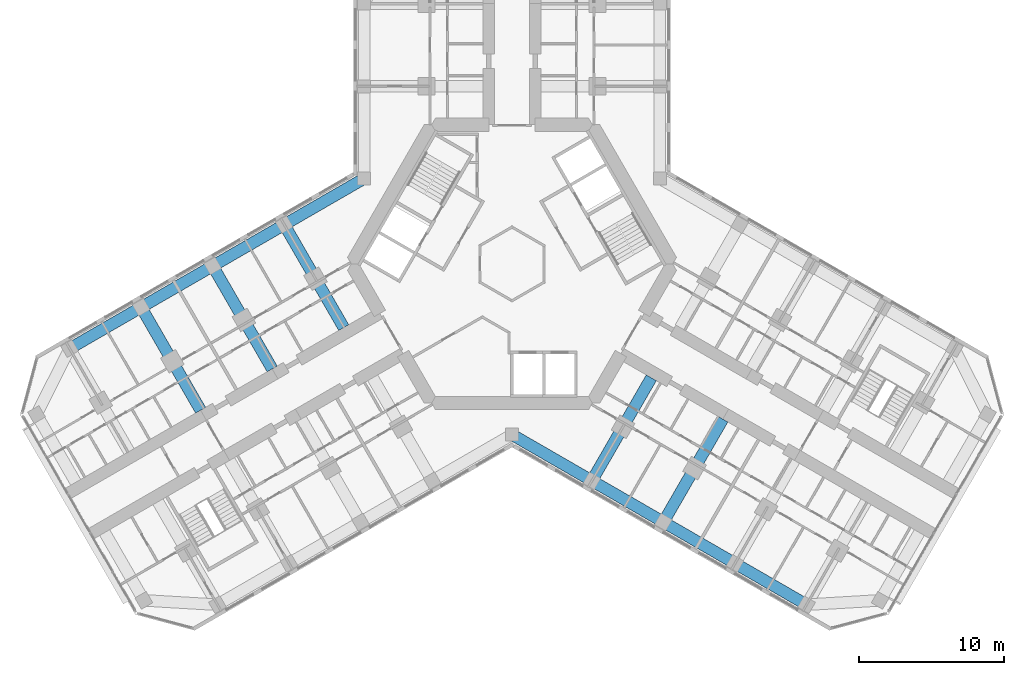
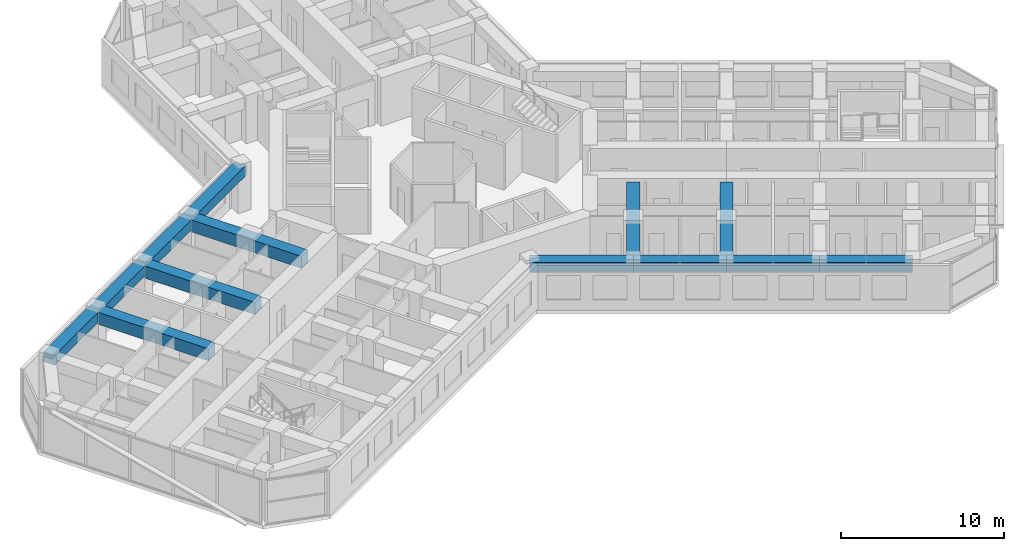
# One storey, part 4 of 20: 13 beams.
"""IFC4 building model written with IfcOpenShell, lengths in metres."""

import ifcopenshell
import ifcopenshell.guid

model = None  # the IFC model being written
_history = None  # IfcOwnerHistory: only IFC2X3 demands one
_inside = {}  # id of a spatial element -> (the spatial element, [elements in it])
_under = {}  # id of a project, library or spatial element -> (it, [spatial elements below it])
_declared = {}  # id of a project -> (the project, [libraries it declares])
_typed = {}  # id of a type object -> (the type object, [elements of that type])
_made_of = {}  # id of a material, layer set ... -> (it, [elements and type objects made of it])


def new_model(schema):
    """Start an empty IFC model of exactly this schema.

    Asked for "IFC4X3", IfcOpenShell would pick the latest addendum, in which some entities
    have other attributes; the version numbers below select the first issue.
    IFC2X3 requires an IfcOwnerHistory on every rooted entity: one is made here for all.
    """
    global model, _history
    if schema == "IFC4X3":
        model = ifcopenshell.file(schema_version=(4, 3, 0, 0))
    else:
        model = ifcopenshell.file(schema=schema)
    _inside.clear()
    _under.clear()
    _declared.clear()
    _typed.clear()
    _made_of.clear()
    _history = None
    if model.schema == "IFC2X3":
        org = make("IfcOrganization", Name="unknown")
        user = make(
            "IfcPersonAndOrganization",
            ThePerson=make("IfcPerson", FamilyName="unknown"),
            TheOrganization=org,
        )
        app = make(
            "IfcApplication",
            ApplicationDeveloper=org,
            Version="unknown",
            ApplicationFullName="unknown",
            ApplicationIdentifier="unknown",
        )
        _history = make(
            "IfcOwnerHistory",
            OwningUser=user,
            OwningApplication=app,
            ChangeAction="ADDED",
            CreationDate=0,
        )
    return model


def make(cls, **values):
    """One entity of the class cls with the attributes given. An attribute that is None is left unset."""
    return model.create_entity(
        cls, **{name: value for name, value in values.items() if value is not None}
    )


def rooted(cls, **values):
    """An entity with a GlobalId (a new one), such as an element, a storey or a relation."""
    return make(cls, GlobalId=ifcopenshell.guid.new(), OwnerHistory=_history, **values)


def si_unit(unit_type, name, prefix=None):
    """IfcSIUnit, for example si_unit("LENGTHUNIT", "METRE", prefix="MILLI")."""
    return make("IfcSIUnit", UnitType=unit_type, Prefix=prefix, Name=name)


def assignment(units):
    """IfcUnitAssignment: the units of a project."""
    return None if units is None else make("IfcUnitAssignment", Units=units)


def point(xyz):
    """IfcCartesianPoint."""
    return None if xyz is None else make("IfcCartesianPoint", Coordinates=xyz)


def direction(xyz):
    """IfcDirection."""
    return None if xyz is None else make("IfcDirection", DirectionRatios=xyz)


def frame(location, z_axis=None, x_axis=None):
    """IfcAxis2Placement3D, a coordinate frame: its origin and axes. An axis left out is left unset."""
    return make(
        "IfcAxis2Placement3D",
        Location=point(location),
        Axis=direction(z_axis),
        RefDirection=direction(x_axis),
    )


def frame_2d(location, x_axis=None):
    """IfcAxis2Placement2D, a coordinate frame in the plane: its origin and x axis."""
    return make(
        "IfcAxis2Placement2D", Location=point(location), RefDirection=direction(x_axis)
    )


def origin():
    """The frame at (0, 0, 0) with its axes left unset."""
    return frame((0.0, 0.0, 0.0))


def origin_2d():
    """The frame at (0, 0) in the plane with its x axis left unset."""
    return frame_2d((0.0, 0.0))


def place(relative_to, where):
    """IfcLocalPlacement: puts the frame where relative to a parent placement (None: the world)."""
    return make(
        "IfcLocalPlacement", PlacementRelTo=relative_to, RelativePlacement=where
    )


def context(
    kind, dimensions, precision=None, world=None, true_north=None, identifier=None
):
    """IfcGeometricRepresentationContext, for example the 3D "Model" context."""
    return make(
        "IfcGeometricRepresentationContext",
        ContextIdentifier=identifier,
        ContextType=kind,
        CoordinateSpaceDimension=dimensions,
        Precision=precision,
        WorldCoordinateSystem=world,
        TrueNorth=true_north,
    )


def subcontext(parent, identifier, kind, view, scale=None):
    """IfcGeometricRepresentationSubContext, for example "Body" below "Model"."""
    return make(
        "IfcGeometricRepresentationSubContext",
        ContextIdentifier=identifier,
        ContextType=kind,
        ParentContext=parent,
        TargetScale=scale,
        TargetView=view,
    )


def project(units=None, contexts=None):
    """IfcProject with its units and contexts."""
    return rooted(
        "IfcProject",
        Name="project",
        RepresentationContexts=contexts,
        UnitsInContext=assignment(units),
    )


def spatial(cls, under=None, at=None, **own):
    """A site, building, storey or space (cls), placed at a placement, below another one or the project."""
    s = rooted(cls, ObjectPlacement=at, **own)
    if under is not None:
        _under.setdefault(under.id(), (under, []))[1].append(s)
    return s


def profile(cls, at=None, kind="AREA", **sizes):
    """A parametric profile (cls). Its sizes go by their IFC names, for example OverallWidth=200.0."""
    return make(cls, ProfileType=kind, Position=at, **sizes)


def rectangle(**sizes):
    """IfcRectangleProfileDef."""
    return profile("IfcRectangleProfileDef", **sizes)


def extrude(swept, where, along, depth):
    """IfcExtrudedAreaSolid: the profile swept, set in the frame where, extruded along a direction by depth."""
    return make(
        "IfcExtrudedAreaSolid",
        SweptArea=swept,
        Position=where,
        ExtrudedDirection=direction(along),
        Depth=depth,
    )


def shape(context_of_items, identifier, shape_type, items):
    """IfcShapeRepresentation: the items that make up one representation, for example the "Body"."""
    return make(
        "IfcShapeRepresentation",
        ContextOfItems=context_of_items,
        RepresentationIdentifier=identifier,
        RepresentationType=shape_type,
        Items=items,
    )


def material(Name=None, Category=None):
    """IfcMaterial."""
    return make("IfcMaterial", Name=Name, Category=Category)


def material_profile(
    of_material, cross_section, Name=None, Category=None, Priority=None
):
    """IfcMaterialProfile: a cross section and its material."""
    return make(
        "IfcMaterialProfile",
        Name=Name,
        Material=of_material,
        Profile=cross_section,
        Priority=Priority,
        Category=Category,
    )


def profile_set(profiles, Name=None, composite=None):
    """IfcMaterialProfileSet."""
    return make(
        "IfcMaterialProfileSet",
        Name=Name,
        MaterialProfiles=profiles,
        CompositeProfile=composite,
    )


def made_of(thing, what):
    """Note that an element or type object is made of a material, layer set ...; save() writes the relation."""
    if what is not None:
        _made_of.setdefault(what.id(), (what, []))[1].append(thing)
    return thing


def type_object(cls, material=None, **own):
    """A type object (cls), such as IfcWallType, which elements share."""
    return made_of(rooted(cls, **own), material)


def element(
    cls,
    number,
    at=None,
    inside=None,
    cuts=None,
    type_object=None,
    material=None,
    context=None,
    identifier="Body",
    shape_type=None,
    held_by="IfcProductDefinitionShape",
    body=None,
    shapes=None,
    **own,
):
    """One element of the class cls, such as IfcWall. Its Tag is "e" and its number.

    at: its placement. inside: the storey or other place that contains it. cuts: it is an
    opening in that element (IfcRelVoidsElement). A single representation is given by context,
    identifier, shape_type and body (its items); several are given by shapes. held_by: the class
    of the entity that holds the representations. save() writes the other relations.
    """
    e = rooted(cls, Tag="e%d" % number, ObjectPlacement=at, **own)
    if body is not None:
        shapes = [shape(context, identifier, shape_type, body)]
    if shapes is not None:
        e.Representation = make(held_by, Representations=shapes)
    if inside is not None:
        _inside.setdefault(inside.id(), (inside, []))[1].append(e)
    if cuts is not None:
        rooted(
            "IfcRelVoidsElement", RelatingBuildingElement=cuts, RelatedOpeningElement=e
        )
    if type_object is not None:
        _typed.setdefault(type_object.id(), (type_object, []))[1].append(e)
    return made_of(e, material)


def aggregate(whole, parts):
    """IfcRelAggregates: a whole, such as a stair, and the parts it consists of."""
    return rooted("IfcRelAggregates", RelatingObject=whole, RelatedObjects=parts)


def save(model, path):
    """Write the relations noted so far, then the file.

    IfcRelAggregates (storeys below a building ...), IfcRelContainedInSpatialStructure (elements
    in a storey), IfcRelDefinesByType, IfcRelAssociatesMaterial and IfcRelDeclares: one each for
    every whole, place, type object, material and project.
    """
    for whole, parts in _under.values():
        aggregate(whole, parts)
    for where, things in _inside.values():
        rooted(
            "IfcRelContainedInSpatialStructure",
            RelatedElements=things,
            RelatingStructure=where,
        )
    for kind, things in _typed.values():
        rooted("IfcRelDefinesByType", RelatedObjects=things, RelatingType=kind)
    for what, things in _made_of.values():
        rooted("IfcRelAssociatesMaterial", RelatedObjects=things, RelatingMaterial=what)
    for by, libraries in _declared.values():
        rooted("IfcRelDeclares", RelatingContext=by, RelatedDefinitions=libraries)
    model.write(path)


model = new_model("IFC4")

# Units and contexts
model_context = context("Model", 3, precision=1e-05, world=origin(), true_north=direction((0.0, 1.0)))
body_context = subcontext(model_context, "Body", "Model", "MODEL_VIEW")
ifc_project = project(units=[si_unit("LENGTHUNIT", "METRE"), si_unit("AREAUNIT", "SQUARE_METRE"), si_unit("VOLUMEUNIT", "CUBIC_METRE"), si_unit("PLANEANGLEUNIT", "RADIAN"), si_unit("MASSUNIT", "GRAM", prefix="KILO")], contexts=[model_context])

# Site, building, storey
site_placement = place(None, origin())
site = spatial("IfcSite", under=ifc_project, at=site_placement, CompositionType="ELEMENT")
building_placement = place(site_placement, origin())
building = spatial("IfcBuilding", under=site, at=building_placement, Name="Kosmar Iwan School Tower", CompositionType="ELEMENT")
storey_placement = place(building_placement, frame((0.0, 0.0, 179.60009765625)))
storey = spatial("IfcBuildingStorey", under=building, at=storey_placement, Name="L45", CompositionType="ELEMENT", Elevation=179.60009765625)

# Beams
ifc_material_1 = material(Name="Concrete C50/60", Category="concrete")
ifc_material_profile_1 = material_profile(ifc_material_1, rectangle(XDim=0.800048828125, YDim=0.75, at=origin_2d()), Name="RC 800x750")
ifc_profile_set_1 = profile_set([ifc_material_profile_1], Name="Concrete C50/60")
beam_type_1 = type_object("IfcBeamType", Name="RC edge beam 800x750", PredefinedType="BEAM", material=ifc_profile_set_1)
beam_1_placement = place(storey_placement, frame((-10.199951171875, 5.888916015625, 2.974853515625), z_axis=(-0.866030912664, -0.49999045822, 0.0), x_axis=(0.49999045822, -0.866030912664, 0.0)))
element("IfcBeam", 1, at=beam_1_placement, inside=storey, type_object=beam_type_1, Name="Edge beam BR1", PredefinedType="BEAM", context=body_context, shape_type="SweptSolid", body=[
    extrude(rectangle(XDim=0.800048828125, YDim=0.75, at=origin_2d()), origin(), (0.0, 0.0, 1.0), 6.36083984375),
])
beam_2_placement = place(storey_placement, frame((-15.708740234375, 2.70849609375, 2.974853515625), z_axis=(-0.866025820012, -0.499999279071, 0.0), x_axis=(0.499999279071, -0.866025820012, 0.0)))
element("IfcBeam", 2, at=beam_2_placement, inside=storey, type_object=beam_type_1, Name="Edge beam BR2", PredefinedType="BEAM", context=body_context, shape_type="SweptSolid", body=[
    extrude(rectangle(XDim=0.800048828125, YDim=0.75, at=origin_2d()), origin(), (0.0, 0.0, 1.0), 5.7001953125),
])
for number, where, z_axis, x_axis, name in (
    (3, (-20.645263671875, -0.1416015625, 2.974853515625), (-0.866033658841, -0.49998570155, 0.0), (0.49998570155, -0.866033658841, 0.0), "Edge beam BR3"),
    (4, (-25.58154296875, -2.991455078125, 2.974853515625), (-0.866015111908, -0.50001782563, 0.0), (0.50001782563, -0.866015111908, 0.0), "Edge beam BR4"),
):
    element("IfcBeam", number, at=place(storey_placement, frame(where, z_axis=z_axis, x_axis=x_axis)), inside=storey, type_object=beam_type_1, Name=name, PredefinedType="BEAM", context=body_context, shape_type="SweptSolid", body=[
        extrude(rectangle(XDim=0.800048828125, YDim=0.75, at=origin_2d()), origin(), (0.0, 0.0, 1.0), 5.699951171875),
    ])
beam_3_placement = place(storey_placement, frame((0.0, -11.77783203125, 2.974853515625), z_axis=(0.866014293216, -0.500019243575, 0.0), x_axis=(0.500019243575, 0.866014293216, 0.0)))
element("IfcBeam", 5, at=beam_3_placement, inside=storey, type_object=beam_type_1, Name="Edge beam CR1", PredefinedType="BEAM", context=body_context, shape_type="SweptSolid", body=[
    extrude(rectangle(XDim=0.800048828125, YDim=0.75, at=origin_2d()), origin(), (0.0, 0.0, 1.0), 6.361083984375),
])
beam_4_placement = place(storey_placement, frame((5.5087890625, -14.95849609375, 2.974853515625), z_axis=(0.866033658841, -0.49998570155, 0.0), x_axis=(0.49998570155, 0.866033658841, 0.0)))
element("IfcBeam", 6, at=beam_4_placement, inside=storey, type_object=beam_type_1, Name="Edge beam CR2", PredefinedType="BEAM", context=body_context, shape_type="SweptSolid", body=[
    extrude(rectangle(XDim=0.800048828125, YDim=0.75, at=origin_2d()), origin(), (0.0, 0.0, 1.0), 5.699951171875),
])
beam_5_placement = place(storey_placement, frame((10.445068359375, -17.808349609375, 2.974853515625), z_axis=(0.866025820012, -0.499999279071, 0.0), x_axis=(0.499999279071, 0.866025820012, 0.0)))
element("IfcBeam", 7, at=beam_5_placement, inside=storey, type_object=beam_type_1, Name="Edge beam CR3", PredefinedType="BEAM", context=body_context, shape_type="SweptSolid", body=[
    extrude(rectangle(XDim=0.800048828125, YDim=0.75, at=origin_2d()), origin(), (0.0, 0.0, 1.0), 5.7001953125),
])
beam_6_placement = place(storey_placement, frame((15.381591796875, -20.658447265625, 2.974853515625), z_axis=(0.866015111908, -0.50001782563, 0.0), x_axis=(0.50001782563, 0.866015111908, 0.0)))
element("IfcBeam", 8, at=beam_6_placement, inside=storey, type_object=beam_type_1, Name="Edge beam CR4", PredefinedType="BEAM", context=body_context, shape_type="SweptSolid", body=[
    extrude(rectangle(XDim=0.800048828125, YDim=0.75, at=origin_2d()), origin(), (0.0, 0.0, 1.0), 5.699951171875),
])
ifc_material_2 = material(Name="Concrete C50/60", Category="concrete")
ifc_material_profile_2 = material_profile(ifc_material_2, rectangle(XDim=0.800048828125, YDim=0.89990234375, at=origin_2d()), Name="RC 800x900")
ifc_profile_set_2 = profile_set([ifc_material_profile_2], Name="Concrete C50/60")
beam_type_2 = type_object("IfcBeamType", Name="RC transverse beam 800x900", PredefinedType="BEAM", material=ifc_profile_set_2)
for number, where, z_axis, x_axis, name in (
    (9, (-15.708740234375, 2.70849609375, 2.89990234375), (0.499978459874, -0.866037839625, 0.0), (0.866037839625, 0.499978459874, 0.0), "Transverse beam BR1"),
    (10, (-20.645263671875, -0.1416015625, 2.89990234375), (0.500013681986, -0.866017504342, 0.0), (0.866017504342, 0.500013681986, 0.0), "Transverse beam BR2"),
):
    element("IfcBeam", number, at=place(storey_placement, frame(where, z_axis=z_axis, x_axis=x_axis)), inside=storey, type_object=beam_type_2, Name=name, PredefinedType="BEAM", context=body_context, shape_type="SweptSolid", body=[
        extrude(rectangle(XDim=0.800048828125, YDim=0.89990234375, at=origin_2d()), origin(), (0.0, 0.0, 1.0), 8.199951171875),
    ])
for number, where, z_axis, x_axis, name in (
    (11, (-25.58154296875, -2.991455078125, 2.89990234375), (0.500000789788, -0.8660249478, 0.0), (0.8660249478, 0.500000789788, 0.0), "Transverse beam BR3"),
    (12, (5.5087890625, -14.95849609375, 2.89990234375), (0.500000789788, 0.8660249478, 0.0), (-0.8660249478, 0.500000789788, 0.0), "Transverse beam CR1"),
):
    element("IfcBeam", number, at=place(storey_placement, frame(where, z_axis=z_axis, x_axis=x_axis)), inside=storey, type_object=beam_type_2, Name=name, PredefinedType="BEAM", context=body_context, shape_type="SweptSolid", body=[
        extrude(rectangle(XDim=0.800048828125, YDim=0.89990234375, at=origin_2d()), origin(), (0.0, 0.0, 1.0), 8.2001953125),
    ])
beam_7_placement = place(storey_placement, frame((10.445068359375, -17.808349609375, 2.89990234375), z_axis=(0.500013681986, 0.866017504342, 0.0), x_axis=(-0.866017504342, 0.500013681986, 0.0)))
element("IfcBeam", 13, at=beam_7_placement, inside=storey, type_object=beam_type_2, Name="Transverse beam CR2", PredefinedType="BEAM", context=body_context, shape_type="SweptSolid", body=[
    extrude(rectangle(XDim=0.800048828125, YDim=0.89990234375, at=origin_2d()), origin(), (0.0, 0.0, 1.0), 8.199951171875),
])

save(model, "model.ifc")
